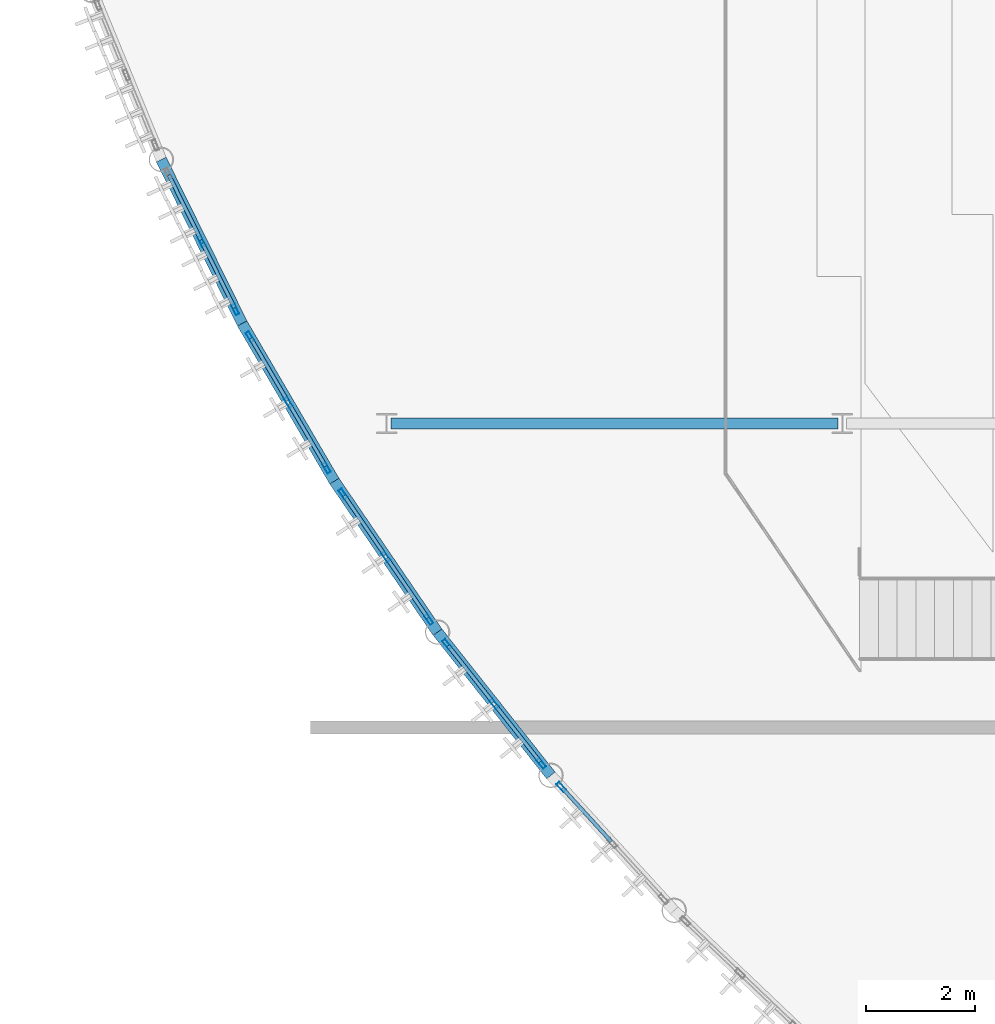
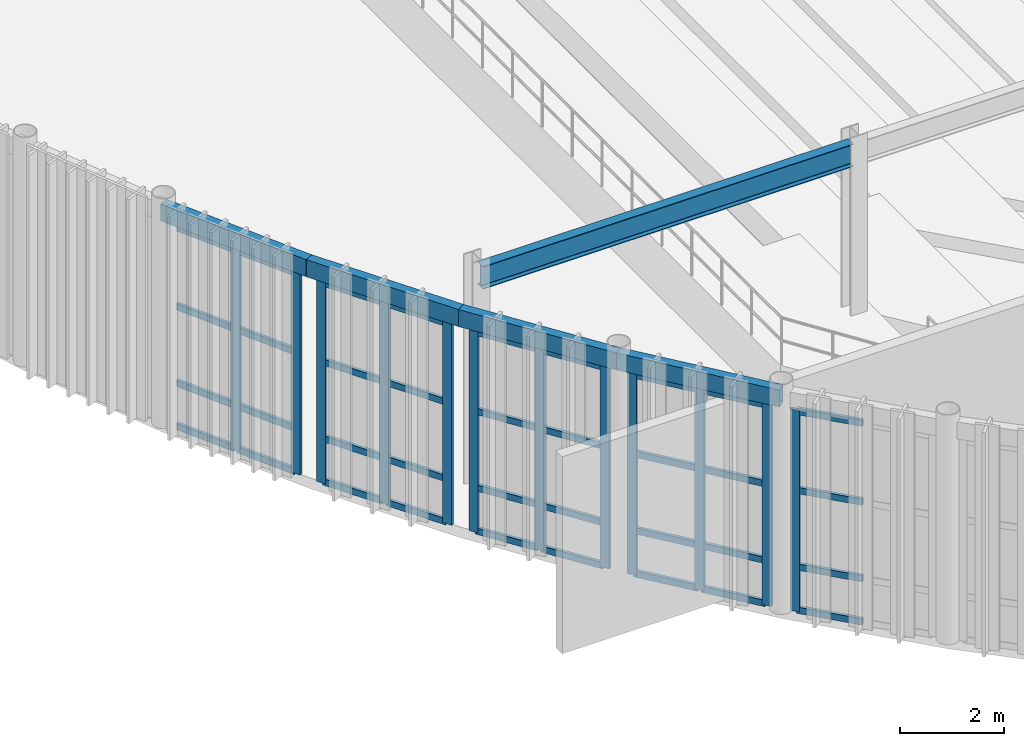
# One storey, part 22 of 87: 48 members, 5 beams, 5 elements without a shape of their own.
"""IFC4 building model written with IfcOpenShell, lengths in metres."""

from ifc_helpers import new_model, si_unit, direction, frame, origin, origin_2d, place, context, subcontext, project, spatial, hollow_rectangle, i_section, extrude, material, layer, layer_set, material_profile, profile_set, type_object, element, aggregate, save


model = new_model("IFC4")

# Units and contexts
model_context = context("Model", 3, precision=1e-05, world=origin(), true_north=direction((0.0, 1.0)))
body_context = subcontext(model_context, "Body", "Model", "MODEL_VIEW")
ifc_project = project(units=[si_unit("LENGTHUNIT", "METRE"), si_unit("AREAUNIT", "SQUARE_METRE"), si_unit("VOLUMEUNIT", "CUBIC_METRE"), si_unit("PLANEANGLEUNIT", "RADIAN"), si_unit("MASSUNIT", "GRAM", prefix="KILO")], contexts=[model_context])

# Site, building, storey
site_placement = place(None, origin())
site = spatial("IfcSite", under=ifc_project, at=site_placement, CompositionType="ELEMENT")
building_placement = place(site_placement, origin())
building = spatial("IfcBuilding", under=site, at=building_placement, Name="Selat Folded Stagehouse", CompositionType="ELEMENT")
storey_placement = place(building_placement, origin())
storey = spatial("IfcBuildingStorey", under=building, at=storey_placement, Name="L00", CompositionType="ELEMENT", Elevation=0.0)

# Beam
ifc_material_1 = material(Name="Steel S355", Category="steel")
ifc_material_profile_1 = material_profile(ifc_material_1, i_section(OverallWidth=0.209228515625, OverallDepth=0.533203125, WebThickness=0.010009765625, FlangeThickness=0.015625, FilletRadius=0.0126953125, at=origin_2d()), Name="UKB 533x210x92")
ifc_profile_set_1 = profile_set([ifc_material_profile_1], Name="Steel S355")
beam_type_1 = type_object("IfcBeamType", Name="BM-GIRD-533x210x92", PredefinedType="BEAM", material=ifc_profile_set_1)
beam_1_placement = place(storey_placement, frame((8.47998046875, 23.39990234375, 4.91357421875), z_axis=(1.0, 0.0, 0.0), x_axis=(0.0, 1.0, 0.0)))
element("IfcBeam", 1, at=beam_1_placement, inside=storey, type_object=beam_type_1, Name="L00 primary x-girder 0519", PredefinedType="BEAM", context=body_context, shape_type="SweptSolid", body=[
    extrude(i_section(OverallWidth=0.209228515625, OverallDepth=0.533203125, WebThickness=0.010009765625, FlangeThickness=0.015625, FilletRadius=0.0126953125, at=origin_2d()), origin(), (0.0, 0.0, 1.0), 8.239990234375),
])

# Curtain wall, members
ifc_material_2 = material(Name="Aluminium 6063-T6", Category="aluminium")
ifc_layer = layer(ifc_material_2, 0.219970703125)
ifc_layer_set = layer_set([ifc_layer], Name="Aluminium 6063-T6")
curtain_wall_type = type_object("IfcCurtainWallType", Name="CW-DRM-HIGH", PredefinedType="NOTDEFINED", material=ifc_layer_set)
curtain_wall_1_placement = place(storey_placement, origin())
curtain_wall_1 = element("IfcCurtainWall", 2, at=curtain_wall_1_placement, inside=storey, type_object=curtain_wall_type, Name="L00 curtain wall CW-DRM-L00-08", PredefinedType="NOTDEFINED")
ifc_material_profile_2 = material_profile(ifc_material_2, hollow_rectangle(XDim=0.070068359375, YDim=0.199951171875, WallThickness=0.0048828125, at=origin_2d()), Name="ALU 200x70x5.0")
ifc_profile_set_2 = profile_set([ifc_material_profile_2], Name="Aluminium 6063-T6")
member_type_1 = type_object("IfcMemberType", Name="CWM-MUL-200x70", PredefinedType="MULLION", material=ifc_profile_set_2)
member_1_placement = place(storey_placement, frame((5.60986328125, 25.501220703125, 0.0), z_axis=(0.0, 0.0, 1.0), x_axis=(-0.896598356392, -0.442844653705, 0.0)))
member_1 = element("IfcMember", 3, at=member_1_placement, type_object=member_type_1, Name="CW-01 mullion 1", PredefinedType="MULLION", context=body_context, shape_type="SweptSolid", body=[
    extrude(hollow_rectangle(XDim=0.070068359375, YDim=0.199951171875, WallThickness=0.0048828125, at=origin_2d()), origin(), (0.0, 0.0, 1.0), 4.739990234375),
])
member_2_placement = place(storey_placement, frame((4.989990234375, 26.756103515625, 0.0), z_axis=(0.0, 0.0, 1.0), x_axis=(-0.896598356392, -0.442844653705, 0.0)))
member_2 = element("IfcMember", 4, at=member_2_placement, type_object=member_type_1, Name="CW-01 mullion 2", PredefinedType="MULLION", context=body_context, shape_type="SweptSolid", body=[
    extrude(hollow_rectangle(XDim=0.070068359375, YDim=0.199951171875, WallThickness=0.0048828125, at=origin_2d()), origin(), (0.0, 0.0, 1.0), 4.739990234375),
])

curtain_wall_2_placement = place(storey_placement, origin())
curtain_wall_2 = element("IfcCurtainWall", 5, at=curtain_wall_2_placement, inside=storey, type_object=curtain_wall_type, Name="L00 curtain wall CW-DRM-L00-09", PredefinedType="NOTDEFINED")
member_3_placement = place(storey_placement, frame((7.292236328125, 22.583251953125, 0.0), z_axis=(0.0, 0.0, 1.0), x_axis=(-0.863332305214, -0.504635839764, 0.0)))
member_3 = element("IfcMember", 6, at=member_3_placement, type_object=member_type_1, Name="CW-01 mullion 1", PredefinedType="MULLION", context=body_context, shape_type="SweptSolid", body=[
    extrude(hollow_rectangle(XDim=0.070068359375, YDim=0.199951171875, WallThickness=0.0048828125, at=origin_2d()), origin(), (0.0, 0.0, 1.0), 4.739990234375),
])
member_4_placement = place(storey_placement, frame((6.586181640625, 23.79150390625, 0.0), z_axis=(0.0, 0.0, 1.0), x_axis=(-0.863332305214, -0.504635839764, 0.0)))
member_4 = element("IfcMember", 7, at=member_4_placement, type_object=member_type_1, Name="CW-01 mullion 2", PredefinedType="MULLION", context=body_context, shape_type="SweptSolid", body=[
    extrude(hollow_rectangle(XDim=0.070068359375, YDim=0.199951171875, WallThickness=0.0048828125, at=origin_2d()), origin(), (0.0, 0.0, 1.0), 4.739990234375),
])
member_5_placement = place(storey_placement, frame((5.8798828125, 24.999755859375, 0.0), z_axis=(0.0, 0.0, 1.0), x_axis=(-0.863332305214, -0.504635839764, 0.0)))
member_5 = element("IfcMember", 8, at=member_5_placement, type_object=member_type_1, Name="CW-01 mullion 3", PredefinedType="MULLION", context=body_context, shape_type="SweptSolid", body=[
    extrude(hollow_rectangle(XDim=0.070068359375, YDim=0.199951171875, WallThickness=0.0048828125, at=origin_2d()), origin(), (0.0, 0.0, 1.0), 4.739990234375),
])

curtain_wall_3_placement = place(storey_placement, origin())
curtain_wall_3 = element("IfcCurtainWall", 9, at=curtain_wall_3_placement, inside=storey, type_object=curtain_wall_type, Name="L00 curtain wall CW-DRM-L00-10", PredefinedType="NOTDEFINED")
member_6_placement = place(storey_placement, frame((9.175537109375, 19.790283203125, 0.0), z_axis=(0.0, 0.0, 1.0), x_axis=(-0.825810483709, -0.563947732504, 0.0)))
member_6 = element("IfcMember", 10, at=member_6_placement, type_object=member_type_1, Name="CW-01 mullion 1", PredefinedType="MULLION", context=body_context, shape_type="SweptSolid", body=[
    extrude(hollow_rectangle(XDim=0.070068359375, YDim=0.199951171875, WallThickness=0.0048828125, at=origin_2d()), origin(), (0.0, 0.0, 1.0), 4.739990234375),
])
member_7_placement = place(storey_placement, frame((8.38623046875, 20.946044921875, 0.0), z_axis=(0.0, 0.0, 1.0), x_axis=(-0.825810483709, -0.563947732504, 0.0)))
member_7 = element("IfcMember", 11, at=member_7_placement, type_object=member_type_1, Name="CW-01 mullion 2", PredefinedType="MULLION", context=body_context, shape_type="SweptSolid", body=[
    extrude(hollow_rectangle(XDim=0.070068359375, YDim=0.199951171875, WallThickness=0.0048828125, at=origin_2d()), origin(), (0.0, 0.0, 1.0), 4.739990234375),
])
member_8_placement = place(storey_placement, frame((7.596923828125, 22.101806640625, 0.0), z_axis=(0.0, 0.0, 1.0), x_axis=(-0.825810483709, -0.563947732504, 0.0)))
member_8 = element("IfcMember", 12, at=member_8_placement, type_object=member_type_1, Name="CW-01 mullion 3", PredefinedType="MULLION", context=body_context, shape_type="SweptSolid", body=[
    extrude(hollow_rectangle(XDim=0.070068359375, YDim=0.199951171875, WallThickness=0.0048828125, at=origin_2d()), origin(), (0.0, 0.0, 1.0), 4.739990234375),
])

curtain_wall_4_placement = place(storey_placement, origin())
curtain_wall_4 = element("IfcCurtainWall", 13, at=curtain_wall_4_placement, inside=storey, type_object=curtain_wall_type, Name="L00 curtain wall CW-DRM-L00-11", PredefinedType="NOTDEFINED")
member_9_placement = place(storey_placement, frame((11.25, 17.13671875, 0.0), z_axis=(0.0, 0.0, 1.0), x_axis=(-0.784180094825, -0.620533301992, 0.0)))
member_9 = element("IfcMember", 14, at=member_9_placement, type_object=member_type_1, Name="CW-01 mullion 1", PredefinedType="MULLION", context=body_context, shape_type="SweptSolid", body=[
    extrude(hollow_rectangle(XDim=0.070068359375, YDim=0.199951171875, WallThickness=0.0048828125, at=origin_2d()), origin(), (0.0, 0.0, 1.0), 4.739990234375),
])
member_10_placement = place(storey_placement, frame((10.38134765625, 18.234130859375, 0.0), z_axis=(0.0, 0.0, 1.0), x_axis=(-0.784180094825, -0.620533301992, 0.0)))
member_10 = element("IfcMember", 15, at=member_10_placement, type_object=member_type_1, Name="CW-01 mullion 2", PredefinedType="MULLION", context=body_context, shape_type="SweptSolid", body=[
    extrude(hollow_rectangle(XDim=0.070068359375, YDim=0.199951171875, WallThickness=0.0048828125, at=origin_2d()), origin(), (0.0, 0.0, 1.0), 4.739990234375),
])
member_11_placement = place(storey_placement, frame((9.512939453125, 19.33154296875, 0.0), z_axis=(0.0, 0.0, 1.0), x_axis=(-0.784180094825, -0.620533301992, 0.0)))
member_11 = element("IfcMember", 16, at=member_11_placement, type_object=member_type_1, Name="CW-01 mullion 3", PredefinedType="MULLION", context=body_context, shape_type="SweptSolid", body=[
    extrude(hollow_rectangle(XDim=0.070068359375, YDim=0.199951171875, WallThickness=0.0048828125, at=origin_2d()), origin(), (0.0, 0.0, 1.0), 4.739990234375),
])

# Curtain wall, member
curtain_wall_5_placement = place(storey_placement, origin())
curtain_wall_5 = element("IfcCurtainWall", 17, at=curtain_wall_5_placement, inside=storey, type_object=curtain_wall_type, Name="L00 curtain wall CW-DRM-L00-12", PredefinedType="NOTDEFINED")
member_12_placement = place(storey_placement, frame((11.618896484375, 16.70263671875, 0.0), z_axis=(0.0, 0.0, 1.0), x_axis=(-0.738729183213, -0.674002369336, 0.0)))
member_12 = element("IfcMember", 18, at=member_12_placement, type_object=member_type_1, Name="CW-01 mullion 3", PredefinedType="MULLION", context=body_context, shape_type="SweptSolid", body=[
    extrude(hollow_rectangle(XDim=0.070068359375, YDim=0.199951171875, WallThickness=0.0048828125, at=origin_2d()), origin(), (0.0, 0.0, 1.0), 4.739990234375),
])

# Member
ifc_material_profile_3 = material_profile(ifc_material_2, hollow_rectangle(XDim=0.070068359375, YDim=0.14990234375, WallThickness=0.00390625, at=origin_2d()), Name="ALU 150x70x4.0")
ifc_profile_set_3 = profile_set([ifc_material_profile_3], Name="Aluminium 6063-T6")
member_type_2 = type_object("IfcMemberType", Name="CWM-TRN-150x70", PredefinedType="USERDEFINED", material=ifc_profile_set_3)
member_13_placement = place(storey_placement, frame((5.59423828125, 25.532470703125, 0.034912109375), z_axis=(-0.442727457561, 0.896656231965, 0.0), x_axis=(-0.896656231965, -0.442727457561, 0.0)))
member_13 = element("IfcMember", 19, at=member_13_placement, type_object=member_type_2, Name="CW-01 transom 1.1", ObjectType="TRANSOM", PredefinedType="USERDEFINED", context=body_context, shape_type="SweptSolid", body=[
    extrude(hollow_rectangle(XDim=0.070068359375, YDim=0.14990234375, WallThickness=0.00390625, at=origin_2d()), origin(), (0.0, 0.0, 1.0), 1.32958984375),
])

member_14_placement = place(storey_placement, frame((5.59423828125, 25.532470703125, 1.050048828125), z_axis=(-0.442727457561, 0.896656231965, 0.0), x_axis=(-0.896656231965, -0.442727457561, 0.0)))
member_14 = element("IfcMember", 20, at=member_14_placement, type_object=member_type_2, Name="CW-01 transom 1.2", ObjectType="TRANSOM", PredefinedType="USERDEFINED", context=body_context, shape_type="SweptSolid", body=[
    extrude(hollow_rectangle(XDim=0.070068359375, YDim=0.14990234375, WallThickness=0.00390625, at=origin_2d()), origin(), (0.0, 0.0, 1.0), 1.32958984375),
])

member_15_placement = place(storey_placement, frame((5.59423828125, 25.532470703125, 2.85009765625), z_axis=(-0.442727457561, 0.896656231965, 0.0), x_axis=(-0.896656231965, -0.442727457561, 0.0)))
member_15 = element("IfcMember", 21, at=member_15_placement, type_object=member_type_2, Name="CW-01 transom 1.3", ObjectType="TRANSOM", PredefinedType="USERDEFINED", context=body_context, shape_type="SweptSolid", body=[
    extrude(hollow_rectangle(XDim=0.070068359375, YDim=0.14990234375, WallThickness=0.00390625, at=origin_2d()), origin(), (0.0, 0.0, 1.0), 1.32958984375),
])

member_16_placement = place(storey_placement, frame((5.59423828125, 25.532470703125, 4.705078125), z_axis=(-0.442727457561, 0.896656231965, 0.0), x_axis=(-0.896656231965, -0.442727457561, 0.0)))
member_16 = element("IfcMember", 22, at=member_16_placement, type_object=member_type_2, Name="CW-01 transom 1.4", ObjectType="TRANSOM", PredefinedType="USERDEFINED", context=body_context, shape_type="SweptSolid", body=[
    extrude(hollow_rectangle(XDim=0.070068359375, YDim=0.14990234375, WallThickness=0.00390625, at=origin_2d()), origin(), (0.0, 0.0, 1.0), 1.32958984375),
])

member_17_placement = place(storey_placement, frame((4.974609375, 26.787353515625, 0.034912109375), z_axis=(-0.44287507519, 0.896583330079, 0.0), x_axis=(-0.896583330079, -0.44287507519, 0.0)))
member_17 = element("IfcMember", 23, at=member_17_placement, type_object=member_type_2, Name="CW-01 transom 2.1", ObjectType="TRANSOM", PredefinedType="USERDEFINED", context=body_context, shape_type="SweptSolid", body=[
    extrude(hollow_rectangle(XDim=0.070068359375, YDim=0.14990234375, WallThickness=0.00390625, at=origin_2d()), origin(), (0.0, 0.0, 1.0), 1.32958984375),
])

member_18_placement = place(storey_placement, frame((4.974609375, 26.787353515625, 1.050048828125), z_axis=(-0.44287507519, 0.896583330079, 0.0), x_axis=(-0.896583330079, -0.44287507519, 0.0)))
member_18 = element("IfcMember", 24, at=member_18_placement, type_object=member_type_2, Name="CW-01 transom 2.2", ObjectType="TRANSOM", PredefinedType="USERDEFINED", context=body_context, shape_type="SweptSolid", body=[
    extrude(hollow_rectangle(XDim=0.070068359375, YDim=0.14990234375, WallThickness=0.00390625, at=origin_2d()), origin(), (0.0, 0.0, 1.0), 1.32958984375),
])

member_19_placement = place(storey_placement, frame((4.974609375, 26.787353515625, 2.85009765625), z_axis=(-0.44287507519, 0.896583330079, 0.0), x_axis=(-0.896583330079, -0.44287507519, 0.0)))
member_19 = element("IfcMember", 25, at=member_19_placement, type_object=member_type_2, Name="CW-01 transom 2.3", ObjectType="TRANSOM", PredefinedType="USERDEFINED", context=body_context, shape_type="SweptSolid", body=[
    extrude(hollow_rectangle(XDim=0.070068359375, YDim=0.14990234375, WallThickness=0.00390625, at=origin_2d()), origin(), (0.0, 0.0, 1.0), 1.32958984375),
])

member_20_placement = place(storey_placement, frame((4.974609375, 26.787353515625, 4.705078125), z_axis=(-0.44287507519, 0.896583330079, 0.0), x_axis=(-0.896583330079, -0.44287507519, 0.0)))
member_20 = element("IfcMember", 26, at=member_20_placement, type_object=member_type_2, Name="CW-01 transom 2.4", ObjectType="TRANSOM", PredefinedType="USERDEFINED", context=body_context, shape_type="SweptSolid", body=[
    extrude(hollow_rectangle(XDim=0.070068359375, YDim=0.14990234375, WallThickness=0.00390625, at=origin_2d()), origin(), (0.0, 0.0, 1.0), 1.32958984375),
])

aggregate(curtain_wall_1, [member_1, member_2, member_13, member_14, member_15, member_16, member_17, member_18, member_19, member_20])

member_21_placement = place(storey_placement, frame((7.274658203125, 22.613525390625, 0.034912109375), z_axis=(-0.504658684993, 0.863318951293, 0.0), x_axis=(-0.863318951293, -0.504658684993, 0.0)))
member_21 = element("IfcMember", 27, at=member_21_placement, type_object=member_type_2, Name="CW-01 transom 1.1", ObjectType="TRANSOM", PredefinedType="USERDEFINED", context=body_context, shape_type="SweptSolid", body=[
    extrude(hollow_rectangle(XDim=0.070068359375, YDim=0.14990234375, WallThickness=0.00390625, at=origin_2d()), origin(), (0.0, 0.0, 1.0), 1.329345703125),
])

member_22_placement = place(storey_placement, frame((7.274658203125, 22.613525390625, 1.050048828125), z_axis=(-0.504658684993, 0.863318951293, 0.0), x_axis=(-0.863318951293, -0.504658684993, 0.0)))
member_22 = element("IfcMember", 28, at=member_22_placement, type_object=member_type_2, Name="CW-01 transom 1.2", ObjectType="TRANSOM", PredefinedType="USERDEFINED", context=body_context, shape_type="SweptSolid", body=[
    extrude(hollow_rectangle(XDim=0.070068359375, YDim=0.14990234375, WallThickness=0.00390625, at=origin_2d()), origin(), (0.0, 0.0, 1.0), 1.329345703125),
])

member_23_placement = place(storey_placement, frame((7.274658203125, 22.613525390625, 2.85009765625), z_axis=(-0.504658684993, 0.863318951293, 0.0), x_axis=(-0.863318951293, -0.504658684993, 0.0)))
member_23 = element("IfcMember", 29, at=member_23_placement, type_object=member_type_2, Name="CW-01 transom 1.3", ObjectType="TRANSOM", PredefinedType="USERDEFINED", context=body_context, shape_type="SweptSolid", body=[
    extrude(hollow_rectangle(XDim=0.070068359375, YDim=0.14990234375, WallThickness=0.00390625, at=origin_2d()), origin(), (0.0, 0.0, 1.0), 1.329345703125),
])

member_24_placement = place(storey_placement, frame((7.274658203125, 22.613525390625, 4.705078125), z_axis=(-0.504658684993, 0.863318951293, 0.0), x_axis=(-0.863318951293, -0.504658684993, 0.0)))
member_24 = element("IfcMember", 30, at=member_24_placement, type_object=member_type_2, Name="CW-01 transom 1.4", ObjectType="TRANSOM", PredefinedType="USERDEFINED", context=body_context, shape_type="SweptSolid", body=[
    extrude(hollow_rectangle(XDim=0.070068359375, YDim=0.14990234375, WallThickness=0.00390625, at=origin_2d()), origin(), (0.0, 0.0, 1.0), 1.329345703125),
])

member_25_placement = place(storey_placement, frame((6.568359375, 23.82177734375, 0.034912109375), z_axis=(-0.504658684993, 0.863318951293, 0.0), x_axis=(-0.863318951293, -0.504658684993, 0.0)))
member_25 = element("IfcMember", 31, at=member_25_placement, type_object=member_type_2, Name="CW-01 transom 2.1", ObjectType="TRANSOM", PredefinedType="USERDEFINED", context=body_context, shape_type="SweptSolid", body=[
    extrude(hollow_rectangle(XDim=0.070068359375, YDim=0.14990234375, WallThickness=0.00390625, at=origin_2d()), origin(), (0.0, 0.0, 1.0), 1.329345703125),
])

member_26_placement = place(storey_placement, frame((6.568359375, 23.82177734375, 1.050048828125), z_axis=(-0.504658684993, 0.863318951293, 0.0), x_axis=(-0.863318951293, -0.504658684993, 0.0)))
member_26 = element("IfcMember", 32, at=member_26_placement, type_object=member_type_2, Name="CW-01 transom 2.2", ObjectType="TRANSOM", PredefinedType="USERDEFINED", context=body_context, shape_type="SweptSolid", body=[
    extrude(hollow_rectangle(XDim=0.070068359375, YDim=0.14990234375, WallThickness=0.00390625, at=origin_2d()), origin(), (0.0, 0.0, 1.0), 1.329345703125),
])

member_27_placement = place(storey_placement, frame((6.568359375, 23.82177734375, 2.85009765625), z_axis=(-0.504658684993, 0.863318951293, 0.0), x_axis=(-0.863318951293, -0.504658684993, 0.0)))
member_27 = element("IfcMember", 33, at=member_27_placement, type_object=member_type_2, Name="CW-01 transom 2.3", ObjectType="TRANSOM", PredefinedType="USERDEFINED", context=body_context, shape_type="SweptSolid", body=[
    extrude(hollow_rectangle(XDim=0.070068359375, YDim=0.14990234375, WallThickness=0.00390625, at=origin_2d()), origin(), (0.0, 0.0, 1.0), 1.329345703125),
])

member_28_placement = place(storey_placement, frame((6.568359375, 23.82177734375, 4.705078125), z_axis=(-0.504658684993, 0.863318951293, 0.0), x_axis=(-0.863318951293, -0.504658684993, 0.0)))
member_28 = element("IfcMember", 34, at=member_28_placement, type_object=member_type_2, Name="CW-01 transom 2.4", ObjectType="TRANSOM", PredefinedType="USERDEFINED", context=body_context, shape_type="SweptSolid", body=[
    extrude(hollow_rectangle(XDim=0.070068359375, YDim=0.14990234375, WallThickness=0.00390625, at=origin_2d()), origin(), (0.0, 0.0, 1.0), 1.329345703125),
])

aggregate(curtain_wall_2, [member_3, member_4, member_5, member_21, member_22, member_23, member_24, member_25, member_26, member_27, member_28])

member_29_placement = place(storey_placement, frame((9.15576171875, 19.8193359375, 0.034912109375), z_axis=(-0.563946374096, 0.825811411367, 0.0), x_axis=(-0.825811411367, -0.563946374096, 0.0)))
member_29 = element("IfcMember", 35, at=member_29_placement, type_object=member_type_2, Name="CW-01 transom 1.1", ObjectType="TRANSOM", PredefinedType="USERDEFINED", context=body_context, shape_type="SweptSolid", body=[
    extrude(hollow_rectangle(XDim=0.070068359375, YDim=0.14990234375, WallThickness=0.00390625, at=origin_2d()), origin(), (0.0, 0.0, 1.0), 1.32958984375),
])

member_30_placement = place(storey_placement, frame((9.15576171875, 19.8193359375, 1.050048828125), z_axis=(-0.563946374096, 0.825811411367, 0.0), x_axis=(-0.825811411367, -0.563946374096, 0.0)))
member_30 = element("IfcMember", 36, at=member_30_placement, type_object=member_type_2, Name="CW-01 transom 1.2", ObjectType="TRANSOM", PredefinedType="USERDEFINED", context=body_context, shape_type="SweptSolid", body=[
    extrude(hollow_rectangle(XDim=0.070068359375, YDim=0.14990234375, WallThickness=0.00390625, at=origin_2d()), origin(), (0.0, 0.0, 1.0), 1.32958984375),
])

member_31_placement = place(storey_placement, frame((9.15576171875, 19.8193359375, 2.85009765625), z_axis=(-0.563946374096, 0.825811411367, 0.0), x_axis=(-0.825811411367, -0.563946374096, 0.0)))
member_31 = element("IfcMember", 37, at=member_31_placement, type_object=member_type_2, Name="CW-01 transom 1.3", ObjectType="TRANSOM", PredefinedType="USERDEFINED", context=body_context, shape_type="SweptSolid", body=[
    extrude(hollow_rectangle(XDim=0.070068359375, YDim=0.14990234375, WallThickness=0.00390625, at=origin_2d()), origin(), (0.0, 0.0, 1.0), 1.32958984375),
])

member_32_placement = place(storey_placement, frame((9.15576171875, 19.8193359375, 4.705078125), z_axis=(-0.563946374096, 0.825811411367, 0.0), x_axis=(-0.825811411367, -0.563946374096, 0.0)))
member_32 = element("IfcMember", 38, at=member_32_placement, type_object=member_type_2, Name="CW-01 transom 1.4", ObjectType="TRANSOM", PredefinedType="USERDEFINED", context=body_context, shape_type="SweptSolid", body=[
    extrude(hollow_rectangle(XDim=0.070068359375, YDim=0.14990234375, WallThickness=0.00390625, at=origin_2d()), origin(), (0.0, 0.0, 1.0), 1.32958984375),
])

member_33_placement = place(storey_placement, frame((8.366455078125, 20.97509765625, 0.034912109375), z_axis=(-0.563946374096, 0.825811411367, 0.0), x_axis=(-0.825811411367, -0.563946374096, 0.0)))
member_33 = element("IfcMember", 39, at=member_33_placement, type_object=member_type_2, Name="CW-01 transom 2.1", ObjectType="TRANSOM", PredefinedType="USERDEFINED", context=body_context, shape_type="SweptSolid", body=[
    extrude(hollow_rectangle(XDim=0.070068359375, YDim=0.14990234375, WallThickness=0.00390625, at=origin_2d()), origin(), (0.0, 0.0, 1.0), 1.32958984375),
])

member_34_placement = place(storey_placement, frame((8.366455078125, 20.97509765625, 1.050048828125), z_axis=(-0.563946374096, 0.825811411367, 0.0), x_axis=(-0.825811411367, -0.563946374096, 0.0)))
member_34 = element("IfcMember", 40, at=member_34_placement, type_object=member_type_2, Name="CW-01 transom 2.2", ObjectType="TRANSOM", PredefinedType="USERDEFINED", context=body_context, shape_type="SweptSolid", body=[
    extrude(hollow_rectangle(XDim=0.070068359375, YDim=0.14990234375, WallThickness=0.00390625, at=origin_2d()), origin(), (0.0, 0.0, 1.0), 1.32958984375),
])

member_35_placement = place(storey_placement, frame((8.366455078125, 20.97509765625, 2.85009765625), z_axis=(-0.563946374096, 0.825811411367, 0.0), x_axis=(-0.825811411367, -0.563946374096, 0.0)))
member_35 = element("IfcMember", 41, at=member_35_placement, type_object=member_type_2, Name="CW-01 transom 2.3", ObjectType="TRANSOM", PredefinedType="USERDEFINED", context=body_context, shape_type="SweptSolid", body=[
    extrude(hollow_rectangle(XDim=0.070068359375, YDim=0.14990234375, WallThickness=0.00390625, at=origin_2d()), origin(), (0.0, 0.0, 1.0), 1.32958984375),
])

member_36_placement = place(storey_placement, frame((8.366455078125, 20.97509765625, 4.705078125), z_axis=(-0.563946374096, 0.825811411367, 0.0), x_axis=(-0.825811411367, -0.563946374096, 0.0)))
member_36 = element("IfcMember", 42, at=member_36_placement, type_object=member_type_2, Name="CW-01 transom 2.4", ObjectType="TRANSOM", PredefinedType="USERDEFINED", context=body_context, shape_type="SweptSolid", body=[
    extrude(hollow_rectangle(XDim=0.070068359375, YDim=0.14990234375, WallThickness=0.00390625, at=origin_2d()), origin(), (0.0, 0.0, 1.0), 1.32958984375),
])

aggregate(curtain_wall_3, [member_6, member_7, member_8, member_29, member_30, member_31, member_32, member_33, member_34, member_35, member_36])

member_37_placement = place(storey_placement, frame((11.228271484375, 17.1640625, 0.034912109375), z_axis=(-0.620655909906, 0.784083057781, 0.0), x_axis=(-0.784083057781, -0.620655909906, 0.0)))
member_37 = element("IfcMember", 43, at=member_37_placement, type_object=member_type_2, Name="CW-01 transom 1.1", ObjectType="TRANSOM", PredefinedType="USERDEFINED", context=body_context, shape_type="SweptSolid", body=[
    extrude(hollow_rectangle(XDim=0.070068359375, YDim=0.14990234375, WallThickness=0.00390625, at=origin_2d()), origin(), (0.0, 0.0, 1.0), 1.32958984375),
])

member_38_placement = place(storey_placement, frame((11.228271484375, 17.1640625, 1.050048828125), z_axis=(-0.620655909906, 0.784083057781, 0.0), x_axis=(-0.784083057781, -0.620655909906, 0.0)))
member_38 = element("IfcMember", 44, at=member_38_placement, type_object=member_type_2, Name="CW-01 transom 1.2", ObjectType="TRANSOM", PredefinedType="USERDEFINED", context=body_context, shape_type="SweptSolid", body=[
    extrude(hollow_rectangle(XDim=0.070068359375, YDim=0.14990234375, WallThickness=0.00390625, at=origin_2d()), origin(), (0.0, 0.0, 1.0), 1.32958984375),
])

member_39_placement = place(storey_placement, frame((11.228271484375, 17.1640625, 2.85009765625), z_axis=(-0.620655909906, 0.784083057781, 0.0), x_axis=(-0.784083057781, -0.620655909906, 0.0)))
member_39 = element("IfcMember", 45, at=member_39_placement, type_object=member_type_2, Name="CW-01 transom 1.3", ObjectType="TRANSOM", PredefinedType="USERDEFINED", context=body_context, shape_type="SweptSolid", body=[
    extrude(hollow_rectangle(XDim=0.070068359375, YDim=0.14990234375, WallThickness=0.00390625, at=origin_2d()), origin(), (0.0, 0.0, 1.0), 1.32958984375),
])

member_40_placement = place(storey_placement, frame((11.228271484375, 17.1640625, 4.705078125), z_axis=(-0.620655909906, 0.784083057781, 0.0), x_axis=(-0.784083057781, -0.620655909906, 0.0)))
member_40 = element("IfcMember", 46, at=member_40_placement, type_object=member_type_2, Name="CW-01 transom 1.4", ObjectType="TRANSOM", PredefinedType="USERDEFINED", context=body_context, shape_type="SweptSolid", body=[
    extrude(hollow_rectangle(XDim=0.070068359375, YDim=0.14990234375, WallThickness=0.00390625, at=origin_2d()), origin(), (0.0, 0.0, 1.0), 1.32958984375),
])

member_41_placement = place(storey_placement, frame((10.359619140625, 18.261474609375, 0.034912109375), z_axis=(-0.620453643768, 0.784243122976, 0.0), x_axis=(-0.784243122976, -0.620453643768, 0.0)))
member_41 = element("IfcMember", 47, at=member_41_placement, type_object=member_type_2, Name="CW-01 transom 2.1", ObjectType="TRANSOM", PredefinedType="USERDEFINED", context=body_context, shape_type="SweptSolid", body=[
    extrude(hollow_rectangle(XDim=0.070068359375, YDim=0.14990234375, WallThickness=0.00390625, at=origin_2d()), origin(), (0.0, 0.0, 1.0), 1.32958984375),
])

member_42_placement = place(storey_placement, frame((10.359619140625, 18.261474609375, 1.050048828125), z_axis=(-0.620453643768, 0.784243122976, 0.0), x_axis=(-0.784243122976, -0.620453643768, 0.0)))
member_42 = element("IfcMember", 48, at=member_42_placement, type_object=member_type_2, Name="CW-01 transom 2.2", ObjectType="TRANSOM", PredefinedType="USERDEFINED", context=body_context, shape_type="SweptSolid", body=[
    extrude(hollow_rectangle(XDim=0.070068359375, YDim=0.14990234375, WallThickness=0.00390625, at=origin_2d()), origin(), (0.0, 0.0, 1.0), 1.32958984375),
])

member_43_placement = place(storey_placement, frame((10.359619140625, 18.261474609375, 2.85009765625), z_axis=(-0.620453643768, 0.784243122976, 0.0), x_axis=(-0.784243122976, -0.620453643768, 0.0)))
member_43 = element("IfcMember", 49, at=member_43_placement, type_object=member_type_2, Name="CW-01 transom 2.3", ObjectType="TRANSOM", PredefinedType="USERDEFINED", context=body_context, shape_type="SweptSolid", body=[
    extrude(hollow_rectangle(XDim=0.070068359375, YDim=0.14990234375, WallThickness=0.00390625, at=origin_2d()), origin(), (0.0, 0.0, 1.0), 1.32958984375),
])

member_44_placement = place(storey_placement, frame((10.359619140625, 18.261474609375, 4.705078125), z_axis=(-0.620453643768, 0.784243122976, 0.0), x_axis=(-0.784243122976, -0.620453643768, 0.0)))
member_44 = element("IfcMember", 50, at=member_44_placement, type_object=member_type_2, Name="CW-01 transom 2.4", ObjectType="TRANSOM", PredefinedType="USERDEFINED", context=body_context, shape_type="SweptSolid", body=[
    extrude(hollow_rectangle(XDim=0.070068359375, YDim=0.14990234375, WallThickness=0.00390625, at=origin_2d()), origin(), (0.0, 0.0, 1.0), 1.32958984375),
])

aggregate(curtain_wall_4, [member_9, member_10, member_11, member_37, member_38, member_39, member_40, member_41, member_42, member_43, member_44])

member_45_placement = place(storey_placement, frame((12.53857421875, 15.694580078125, 0.034912109375), z_axis=(-0.674051646523, 0.738684220638, 0.0), x_axis=(-0.738684220638, -0.674051646523, 0.0)))
member_45 = element("IfcMember", 51, at=member_45_placement, type_object=member_type_2, Name="CW-01 transom 2.1", ObjectType="TRANSOM", PredefinedType="USERDEFINED", context=body_context, shape_type="SweptSolid", body=[
    extrude(hollow_rectangle(XDim=0.070068359375, YDim=0.14990234375, WallThickness=0.00390625, at=origin_2d()), origin(), (0.0, 0.0, 1.0), 1.32958984375),
])

member_46_placement = place(storey_placement, frame((12.53857421875, 15.694580078125, 1.050048828125), z_axis=(-0.674051646523, 0.738684220638, 0.0), x_axis=(-0.738684220638, -0.674051646523, 0.0)))
member_46 = element("IfcMember", 52, at=member_46_placement, type_object=member_type_2, Name="CW-01 transom 2.2", ObjectType="TRANSOM", PredefinedType="USERDEFINED", context=body_context, shape_type="SweptSolid", body=[
    extrude(hollow_rectangle(XDim=0.070068359375, YDim=0.14990234375, WallThickness=0.00390625, at=origin_2d()), origin(), (0.0, 0.0, 1.0), 1.32958984375),
])

member_47_placement = place(storey_placement, frame((12.53857421875, 15.694580078125, 2.85009765625), z_axis=(-0.674051646523, 0.738684220638, 0.0), x_axis=(-0.738684220638, -0.674051646523, 0.0)))
member_47 = element("IfcMember", 53, at=member_47_placement, type_object=member_type_2, Name="CW-01 transom 2.3", ObjectType="TRANSOM", PredefinedType="USERDEFINED", context=body_context, shape_type="SweptSolid", body=[
    extrude(hollow_rectangle(XDim=0.070068359375, YDim=0.14990234375, WallThickness=0.00390625, at=origin_2d()), origin(), (0.0, 0.0, 1.0), 1.32958984375),
])

member_48_placement = place(storey_placement, frame((12.53857421875, 15.694580078125, 4.705078125), z_axis=(-0.674051646523, 0.738684220638, 0.0), x_axis=(-0.738684220638, -0.674051646523, 0.0)))
member_48 = element("IfcMember", 54, at=member_48_placement, type_object=member_type_2, Name="CW-01 transom 2.4", ObjectType="TRANSOM", PredefinedType="USERDEFINED", context=body_context, shape_type="SweptSolid", body=[
    extrude(hollow_rectangle(XDim=0.070068359375, YDim=0.14990234375, WallThickness=0.00390625, at=origin_2d()), origin(), (0.0, 0.0, 1.0), 1.32958984375),
])

aggregate(curtain_wall_5, [member_12, member_45, member_46, member_47, member_48])

# Beams
ifc_material_profile_4 = material_profile(ifc_material_1, hollow_rectangle(XDim=0.199951171875, YDim=0.39990234375, WallThickness=0.012451171875, at=origin_2d()), Name="RHS 400x200x12.5")
ifc_profile_set_4 = profile_set([ifc_material_profile_4], Name="Steel S355")
beam_type_2 = type_object("IfcBeamType", Name="SPD-EXT-400x200", PredefinedType="SPANDREL", material=ifc_profile_set_4)
beam_2_placement = place(storey_placement, frame((4.243896484375, 28.266357421875, 4.97998046875), z_axis=(0.442889628602, -0.896576141148, 0.0), x_axis=(0.896576141148, 0.442889628602, 0.0)))
element("IfcBeam", 55, at=beam_2_placement, inside=storey, type_object=beam_type_2, Name="L00 curved drum spandrel beam 9", PredefinedType="SPANDREL", context=body_context, shape_type="SweptSolid", body=[
    extrude(hollow_rectangle(XDim=0.199951171875, YDim=0.39990234375, WallThickness=0.012451171875, at=origin_2d()), origin(), (0.0, 0.0, 1.0), 3.369140625),
])
for number, where, z_axis, x_axis, name in (
    (56, (5.736083984375, 25.24560546875, 4.97998046875), (0.504668336107, -0.863313309599, 0.0), (0.863313309599, 0.504668336107, 0.0), "L00 curved drum spandrel beam 10"),
    (57, (7.436279296875, 22.337158203125, 4.97998046875), (0.563964056933, -0.825799335485, 0.0), (0.825799335485, 0.563964056933, 0.0), "L00 curved drum spandrel beam 11"),
):
    element("IfcBeam", number, at=place(storey_placement, frame(where, z_axis=z_axis, x_axis=x_axis)), inside=storey, type_object=beam_type_2, Name=name, PredefinedType="SPANDREL", context=body_context, shape_type="SweptSolid", body=[
        extrude(hollow_rectangle(XDim=0.199951171875, YDim=0.39990234375, WallThickness=0.012451171875, at=origin_2d()), origin(), (0.0, 0.0, 1.0), 3.368896484375),
    ])
beam_3_placement = place(storey_placement, frame((9.336181640625, 19.55517578125, 4.97998046875), z_axis=(0.62050618255, -0.784201554077, 0.0), x_axis=(0.784201554077, 0.62050618255, 0.0)))
element("IfcBeam", 58, at=beam_3_placement, inside=storey, type_object=beam_type_2, Name="L00 curved drum spandrel beam 12", PredefinedType="SPANDREL", context=body_context, shape_type="SweptSolid", body=[
    extrude(hollow_rectangle(XDim=0.199951171875, YDim=0.39990234375, WallThickness=0.012451171875, at=origin_2d()), origin(), (0.0, 0.0, 1.0), 3.369140625),
])

save(model, "model.ifc")
